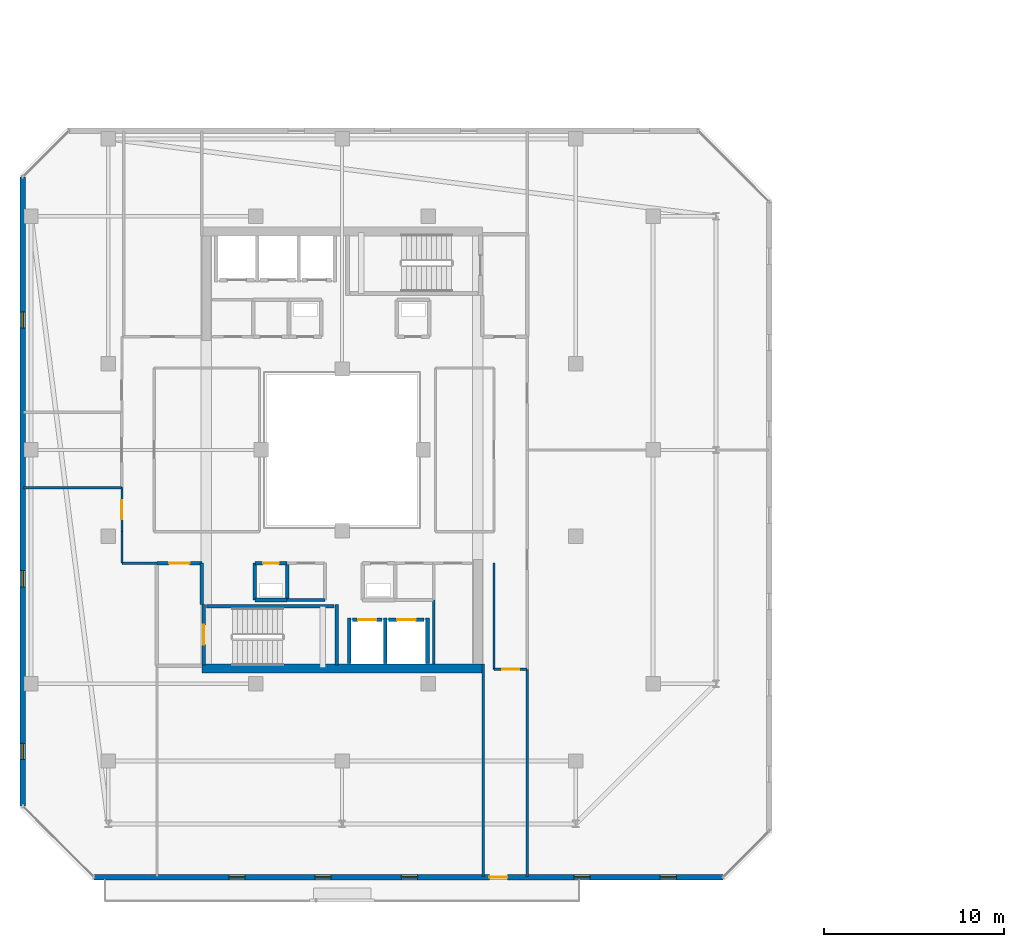
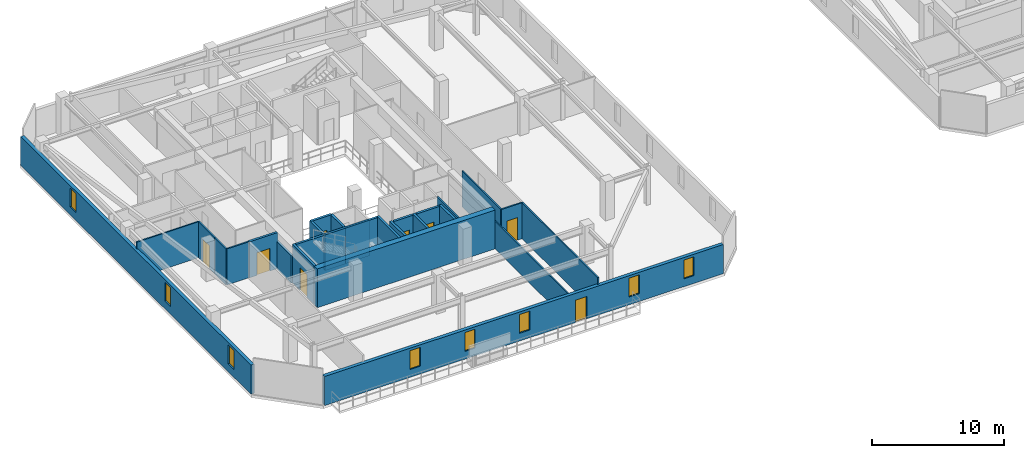
# One storey, part 21 of 34: 27 walls, 8 doors, 8 windows, 16 openings.
"""IFC4 building model written with IfcOpenShell, lengths in metres."""

from ifc_helpers import new_model, si_unit, direction, frame, frame_2d, origin, place, context, subcontext, project, spatial, rectangle, extrude, material, layer, layer_set, type_object, element, fill, save


model = new_model("IFC4")

# Units and contexts
model_context = context("Model", 3, precision=1e-05, world=origin(), true_north=direction((0.0, 1.0)))
body_context = subcontext(model_context, "Body", "Model", "MODEL_VIEW")
ifc_project = project(units=[si_unit("LENGTHUNIT", "METRE"), si_unit("AREAUNIT", "SQUARE_METRE"), si_unit("VOLUMEUNIT", "CUBIC_METRE"), si_unit("PLANEANGLEUNIT", "RADIAN"), si_unit("MASSUNIT", "GRAM", prefix="KILO")], contexts=[model_context])

# Site, building, storey
site_placement = place(None, origin())
site = spatial("IfcSite", under=ifc_project, at=site_placement, CompositionType="ELEMENT")
building_placement = place(site_placement, origin())
building = spatial("IfcBuilding", under=site, at=building_placement, Name="Thornwick Lancets Civic Towers", CompositionType="ELEMENT")
storey_placement = place(building_placement, frame((0.0, 0.0, 258.300048828125)))
storey = spatial("IfcBuildingStorey", under=building, at=storey_placement, Name="L69", CompositionType="ELEMENT", Elevation=258.300048828125)

# Wall, opening, door
ifc_material_1 = material(Name="Concrete blockwork C40/50", Category="masonry")
ifc_layer_1 = layer(ifc_material_1, 0.199951171875, Name="Concrete blockwork C40/50")
ifc_layer_set_1 = layer_set([ifc_layer_1], Name="Concrete blockwork C40/50")
wall_type_1 = type_object("IfcWallType", Name="WALL_COMP_200", PredefinedType="STANDARD", material=ifc_layer_set_1)
wall_1_placement = place(storey_placement, frame((26.080078125, 17.550048828125, 0.0), z_axis=(0.0, 0.0, 1.0), x_axis=(1.0, 0.0, 0.0)))
wall_1 = element("IfcWall", 1, at=wall_1_placement, inside=storey, type_object=wall_type_1, Name="L69 Hoistway Front Wall FL-A1", PredefinedType="STANDARD", context=body_context, shape_type="SweptSolid", body=[
    extrude(rectangle(XDim=1.639892578125, YDim=0.199951171875, at=frame_2d((0.81982421875, 0.0))), origin(), (0.0, 0.0, 1.0), 3.33984375),
])
opening_1_placement = place(wall_1_placement, frame((0.31005859375, 0.0, 0.0)))
opening_1 = element("IfcOpeningElement", 2, at=opening_1_placement, cuts=wall_1, Name="Opening LD-FL-A1", PredefinedType="OPENING", context=body_context, shape_type="SweptSolid", body=[
    extrude(rectangle(XDim=1.02001953125, YDim=2.06005859375, at=frame_2d((0.510009765625, 1.030029296875))), frame((0.0, 0.10986328125, 0.0), z_axis=(0.0, -1.0, 0.0), x_axis=(1.0, 0.0, 0.0)), (0.0, 0.0, 1.0), 0.219970703125),
])
ifc_material_2 = material(Name="Brushed bronze stainless steel", Category="steel")
door_type_1 = type_object("IfcDoorType", Name="DOOR_LIFT_SLIDE", OperationType="SLIDING_TO_LEFT", PredefinedType="DOOR", material=ifc_material_2)
door_1_placement = place(opening_1_placement, origin())
door_1 = element("IfcDoor", 3, at=door_1_placement, inside=storey, type_object=door_type_1, Name="L69 Sliding Lift Landing Door LD-FL-A1", OperationType="SLIDING_TO_LEFT", OverallHeight=2.06005859375, OverallWidth=1.02001953125, PredefinedType="DOOR", context=body_context, shape_type="SweptSolid", body=[
    extrude(rectangle(XDim=1.02001953125, YDim=2.06005859375, at=frame_2d((0.510009765625, 1.030029296875))), frame((0.0, 0.02490234375, 0.0), z_axis=(0.0, -1.0, 0.0), x_axis=(1.0, 0.0, 0.0)), (0.0, 0.0, 1.0), 0.050048828125),
])
fill(opening_1, door_1)

wall_2_placement = place(storey_placement, frame((28.080078125, 17.550048828125, 0.0), z_axis=(0.0, 0.0, 1.0), x_axis=(1.0, 0.0, 0.0)))
wall_2 = element("IfcWall", 4, at=wall_2_placement, inside=storey, type_object=wall_type_1, Name="L69 Hoistway Front Wall PL-AH1", PredefinedType="STANDARD", context=body_context, shape_type="SweptSolid", body=[
    extrude(rectangle(XDim=1.989990234375, YDim=0.199951171875, at=frame_2d((0.9951171875, 0.0))), origin(), (0.0, 0.0, 1.0), 3.33984375),
])
opening_2_placement = place(wall_2_placement, frame((0.485107421875, 0.0, 0.0)))
opening_2 = element("IfcOpeningElement", 5, at=opening_2_placement, cuts=wall_2, Name="Opening LD-PL-AH1", PredefinedType="OPENING", context=body_context, shape_type="SweptSolid", body=[
    extrude(rectangle(XDim=1.02001953125, YDim=2.06005859375, at=frame_2d((0.510009765625, 1.030029296875))), frame((0.0, 0.10986328125, 0.0), z_axis=(0.0, -1.0, 0.0), x_axis=(1.0, 0.0, 0.0)), (0.0, 0.0, 1.0), 0.219970703125),
])
door_2_placement = place(opening_2_placement, origin())
door_2 = element("IfcDoor", 6, at=door_2_placement, inside=storey, type_object=door_type_1, Name="L69 Sliding Lift Landing Door LD-PL-AH1", OperationType="SLIDING_TO_LEFT", OverallHeight=2.06005859375, OverallWidth=1.02001953125, PredefinedType="DOOR", context=body_context, shape_type="SweptSolid", body=[
    extrude(rectangle(XDim=1.02001953125, YDim=2.06005859375, at=frame_2d((0.510009765625, 1.030029296875))), frame((0.0, 0.02490234375, 0.0), z_axis=(0.0, -1.0, 0.0), x_axis=(1.0, 0.0, 0.0)), (0.0, 0.0, 1.0), 0.050048828125),
])
fill(opening_2, door_2)

# Walls
for number, where, z_axis, x_axis, name in (
    (7, (27.89990234375, 15.112060546875, 0.0), (0.0, 0.0, 1.0), (0.0, 1.0, 0.0), "L69 Hoistway Shaft Wall FL-A1 E"),
    (8, (25.89990234375, 15.112060546875, 0.0), (0.0, 0.0, 1.0), (0.0, 1.0, 0.0), "L69 Hoistway Shaft Wall FL-A1 W"),
    (9, (30.25, 15.112060546875, 0.0), (0.0, 0.0, 1.0), (0.0, 1.0, 0.0), "L69 Hoistway Shaft Wall PL-AH1 E"),
):
    element("IfcWall", number, at=place(storey_placement, frame(where, z_axis=z_axis, x_axis=x_axis)), inside=storey, type_object=wall_type_1, Name=name, PredefinedType="STANDARD", context=body_context, shape_type="SweptSolid", body=[
        extrude(rectangle(XDim=2.535888671875, YDim=0.199951171875, at=frame_2d((1.26806640625, 0.0))), origin(), (0.0, 0.0, 1.0), 3.33984375),
    ])
wall_3_placement = place(storey_placement, frame((17.699951171875, 18.39990234375, 0.0), z_axis=(0.0, 0.0, 1.0), x_axis=(0.0, 1.0, 0.0)))
element("IfcWall", 10, at=wall_3_placement, inside=storey, type_object=wall_type_1, Name="L69 Partition L69-A-FFLOB1 E2", PredefinedType="STANDARD", context=body_context, shape_type="SweptSolid", body=[
    extrude(rectangle(XDim=2.300048828125, YDim=0.199951171875, at=frame_2d((1.14990234375, 0.0))), origin(), (0.0, 0.0, 1.0), 2.544921875),
])

# Wall, opening, door
wall_4_placement = place(storey_placement, frame((17.699951171875, 20.699951171875, 0.0), z_axis=(0.0, 0.0, 1.0), x_axis=(-1.0, 0.0, 0.0)))
wall_4 = element("IfcWall", 11, at=wall_4_placement, inside=storey, type_object=wall_type_1, Name="L69 Partition L69-A-FFLOB1 E3", PredefinedType="STANDARD", context=body_context, shape_type="SweptSolid", body=[
    extrude(rectangle(XDim=2.5, YDim=0.199951171875, at=frame_2d((1.25, 0.0))), origin(), (0.0, 0.0, 1.0), 3.33984375),
])
opening_3_placement = place(wall_4_placement, frame((0.675048828125, 0.0, 0.0)))
opening_3 = element("IfcOpeningElement", 12, at=opening_3_placement, cuts=wall_4, Name="Opening D-L69-3135", PredefinedType="OPENING", context=body_context, shape_type="SweptSolid", body=[
    extrude(rectangle(XDim=1.14990234375, YDim=2.10009765625, at=frame_2d((0.574951171875, 1.050048828125))), frame((0.0, 0.10986328125, 0.0), z_axis=(0.0, -1.0, 0.0), x_axis=(1.0, 0.0, 0.0)), (0.0, 0.0, 1.0), 0.219970703125),
])
ifc_material_3 = material(Name="Glazed fire-resisting steel", Category="steel")
door_type_2 = type_object("IfcDoorType", Name="DOOR_LOBBY_FD60", OperationType="NOTDEFINED", PredefinedType="DOOR", material=ifc_material_3)
door_3_placement = place(opening_3_placement, origin())
door_3 = element("IfcDoor", 13, at=door_3_placement, inside=storey, type_object=door_type_2, Name="L69 South Firefighting Lobby 1 Door", OperationType="SINGLE_SWING_RIGHT", OverallHeight=2.10009765625, OverallWidth=1.14990234375, PredefinedType="DOOR", context=body_context, shape_type="SweptSolid", body=[
    extrude(rectangle(XDim=1.14990234375, YDim=2.10009765625, at=frame_2d((0.574951171875, 1.050048828125))), frame((0.0, 0.02490234375, 0.0), z_axis=(0.0, -1.0, 0.0), x_axis=(1.0, 0.0, 0.0)), (0.0, 0.0, 1.0), 0.050048828125),
])
fill(opening_3, door_3)

# Walls
wall_5_placement = place(storey_placement, frame((20.64990234375, 18.64990234375, 0.0), z_axis=(0.0, 0.0, 1.0), x_axis=(1.0, 0.0, 0.0)))
element("IfcWall", 14, at=wall_5_placement, inside=storey, type_object=wall_type_1, Name="L69 Partition L69-A-RISER1 E1", PredefinedType="STANDARD", context=body_context, shape_type="SweptSolid", body=[
    extrude(rectangle(XDim=1.800048828125, YDim=0.199951171875, at=frame_2d((0.89990234375, 0.0))), origin(), (0.0, 0.0, 1.0), 3.33984375),
])
wall_6_placement = place(storey_placement, frame((22.449951171875, 18.64990234375, 0.0), z_axis=(0.0, 0.0, 1.0), x_axis=(0.0, 1.0, 0.0)))
element("IfcWall", 15, at=wall_6_placement, inside=storey, type_object=wall_type_1, Name="L69 Partition L69-A-RISER1 E2", PredefinedType="STANDARD", context=body_context, shape_type="SweptSolid", body=[
    extrude(rectangle(XDim=2.050048828125, YDim=0.199951171875, at=frame_2d((1.02490234375, 0.0))), origin(), (0.0, 0.0, 1.0), 3.33984375),
])

# Wall, opening, door
wall_7_placement = place(storey_placement, frame((22.449951171875, 20.699951171875, 0.0), z_axis=(0.0, 0.0, 1.0), x_axis=(-1.0, 0.0, 0.0)))
wall_7 = element("IfcWall", 16, at=wall_7_placement, inside=storey, type_object=wall_type_1, Name="L69 Partition L69-A-RISER1 E3", PredefinedType="STANDARD", context=body_context, shape_type="SweptSolid", body=[
    extrude(rectangle(XDim=1.800048828125, YDim=0.199951171875, at=frame_2d((0.89990234375, 0.0))), origin(), (0.0, 0.0, 1.0), 3.33984375),
])
opening_4_placement = place(wall_7_placement, frame((0.4599609375, 0.0, 0.0)))
opening_4 = element("IfcOpeningElement", 17, at=opening_4_placement, cuts=wall_7, Name="Opening D-L69-3138", PredefinedType="OPENING", context=body_context, shape_type="SweptSolid", body=[
    extrude(rectangle(XDim=0.8798828125, YDim=2.0400390625, at=frame_2d((0.43994140625, 1.02001953125))), frame((0.0, 0.10986328125, 0.0), z_axis=(0.0, -1.0, 0.0), x_axis=(1.0, 0.0, 0.0)), (0.0, 0.0, 1.0), 0.219970703125),
])
ifc_material_4 = material(Name="Steel riser access doorset", Category="steel")
door_type_3 = type_object("IfcDoorType", Name="DOOR_RISER_850", OperationType="NOTDEFINED", PredefinedType="DOOR", material=ifc_material_4)
door_4_placement = place(opening_4_placement, origin())
door_4 = element("IfcDoor", 18, at=door_4_placement, inside=storey, type_object=door_type_3, Name="L69 South Electrical Riser 1 Door", OperationType="SINGLE_SWING_LEFT", OverallHeight=2.0400390625, OverallWidth=0.8798828125, PredefinedType="DOOR", context=body_context, shape_type="SweptSolid", body=[
    extrude(rectangle(XDim=0.8798828125, YDim=2.0400390625, at=frame_2d((0.43994140625, 1.02001953125))), frame((0.0, 0.02490234375, 0.0), z_axis=(0.0, -1.0, 0.0), x_axis=(1.0, 0.0, 0.0)), (0.0, 0.0, 1.0), 0.050048828125),
])
fill(opening_4, door_4)

# Walls
wall_8_placement = place(storey_placement, frame((20.64990234375, 20.699951171875, 0.0), z_axis=(0.0, 0.0, 1.0), x_axis=(0.0, -1.0, 0.0)))
element("IfcWall", 19, at=wall_8_placement, inside=storey, type_object=wall_type_1, Name="L69 Partition L69-A-RISER1 E4", PredefinedType="STANDARD", context=body_context, shape_type="SweptSolid", body=[
    extrude(rectangle(XDim=2.050048828125, YDim=0.199951171875, at=frame_2d((1.02490234375, 0.0))), origin(), (0.0, 0.0, 1.0), 3.33984375),
])
ifc_material_5 = material(Name="Concrete C50/60", Category="concrete")
ifc_layer_2 = layer(ifc_material_5, 0.5, Name="Concrete C50/60")
ifc_layer_set_2 = layer_set([ifc_layer_2], Name="Concrete C50/60")
wall_type_2 = type_object("IfcWallType", Name="WALL_CORE_500", PredefinedType="SHEAR", material=ifc_layer_set_2)
wall_9_placement = place(storey_placement, frame((17.699951171875, 14.85009765625, 0.0), z_axis=(0.0, 0.0, 1.0), x_axis=(1.0, 0.0, 0.0)))
element("IfcWall", 20, at=wall_9_placement, inside=storey, type_object=wall_type_2, Name="L69 Split Core A1 Shear Wall S", PredefinedType="SHEAR", context=body_context, shape_type="SweptSolid", body=[
    extrude(rectangle(XDim=15.60009765625, YDim=0.5, at=frame_2d((7.800048828125, 0.0))), origin(), (0.0, 0.0, 1.0), 3.599853515625),
])

# Wall, openings, door, windows
ifc_material_6 = material(Name="Insulated russet terracotta rainscreen on concrete C40/50", Category="masonry")
ifc_layer_3 = layer(ifc_material_6, 0.300048828125, Name="Insulated russet terracotta rainscreen on concrete C40/50")
ifc_layer_set_3 = layer_set([ifc_layer_3], Name="Insulated russet terracotta rainscreen on concrete C40/50")
wall_type_3 = type_object("IfcWallType", Name="WALL_EXT_RUSSET_300", PredefinedType="STANDARD", material=ifc_layer_set_3)
wall_10_placement = place(storey_placement, frame((11.6982421875, 3.239990234375, 0.0), z_axis=(0.0, 0.0, 1.0), x_axis=(0.999999991209, -0.000132597301, 0.0)))
wall_10 = element("IfcWall", 21, at=wall_10_placement, inside=storey, type_object=wall_type_3, Name="L69 Tower A Terracotta Facade Wall E0", PredefinedType="STANDARD", context=body_context, shape_type="SweptSolid", body=[
    extrude(rectangle(XDim=34.983154296875, YDim=0.300048828125, at=frame_2d((17.49169921875, 0.0))), origin(), (0.0, 0.0, 1.0), 2.699951171875),
])
opening_5_placement = place(wall_10_placement, frame((21.99169921875, 0.0, 0.0)))
opening_5 = element("IfcOpeningElement", 22, at=opening_5_placement, cuts=wall_10, Name="Opening D-BL-L69-AS", PredefinedType="OPENING", context=body_context, shape_type="SweptSolid", body=[
    extrude(rectangle(XDim=1.0, YDim=2.080078125, at=frame_2d((0.5, 1.0400390625))), frame((0.0, 0.16015625, 0.0), z_axis=(0.0, -1.0, 0.0), x_axis=(1.0, 0.0, 0.0)), (0.0, 0.0, 1.0), 0.320068359375),
])
opening_6_placement = place(wall_10_placement, frame((7.5, 0.0, 0.719970703125)))
opening_6 = element("IfcOpeningElement", 23, at=opening_6_placement, cuts=wall_10, Name="Opening WL-01", PredefinedType="OPENING", context=body_context, shape_type="SweptSolid", body=[
    extrude(rectangle(XDim=0.89990234375, YDim=1.75, at=frame_2d((0.449951171875, 0.875))), frame((0.0, 0.16015625, 0.0), z_axis=(0.0, -1.0, 0.0), x_axis=(1.0, 0.0, 0.0)), (0.0, 0.0, 1.0), 0.320068359375),
])
opening_7_placement = place(wall_10_placement, frame((12.300048828125, 0.0, 0.719970703125)))
opening_7 = element("IfcOpeningElement", 24, at=opening_7_placement, cuts=wall_10, Name="Opening WL-01", PredefinedType="OPENING", context=body_context, shape_type="SweptSolid", body=[
    extrude(rectangle(XDim=0.89990234375, YDim=1.75, at=frame_2d((0.449951171875, 0.875))), frame((0.0, 0.16015625, 0.0), z_axis=(0.0, -1.0, 0.0), x_axis=(1.0, 0.0, 0.0)), (0.0, 0.0, 1.0), 0.320068359375),
])
opening_8_placement = place(wall_10_placement, frame((17.10009765625, 0.0, 0.719970703125)))
opening_8 = element("IfcOpeningElement", 25, at=opening_8_placement, cuts=wall_10, Name="Opening WL-01", PredefinedType="OPENING", context=body_context, shape_type="SweptSolid", body=[
    extrude(rectangle(XDim=0.89990234375, YDim=1.75, at=frame_2d((0.449951171875, 0.875))), frame((0.0, 0.16015625, 0.0), z_axis=(0.0, -1.0, 0.0), x_axis=(1.0, 0.0, 0.0)), (0.0, 0.0, 1.0), 0.320068359375),
])
opening_9_placement = place(wall_10_placement, frame((26.699951171875, 0.0, 0.719970703125)))
opening_9 = element("IfcOpeningElement", 26, at=opening_9_placement, cuts=wall_10, Name="Opening WL-01", PredefinedType="OPENING", context=body_context, shape_type="SweptSolid", body=[
    extrude(rectangle(XDim=0.89990234375, YDim=1.75, at=frame_2d((0.449951171875, 0.875))), frame((0.0, 0.16015625, 0.0), z_axis=(0.0, -1.0, 0.0), x_axis=(1.0, 0.0, 0.0)), (0.0, 0.0, 1.0), 0.320068359375),
])
opening_10_placement = place(wall_10_placement, frame((31.5, 0.0, 0.719970703125)))
opening_10 = element("IfcOpeningElement", 27, at=opening_10_placement, cuts=wall_10, Name="Opening WL-01", PredefinedType="OPENING", context=body_context, shape_type="SweptSolid", body=[
    extrude(rectangle(XDim=0.89990234375, YDim=1.75, at=frame_2d((0.449951171875, 0.875))), frame((0.0, 0.16015625, 0.0), z_axis=(0.0, -1.0, 0.0), x_axis=(1.0, 0.0, 0.0)), (0.0, 0.0, 1.0), 0.320068359375),
])
ifc_material_7 = material(Name="Thermally broken glazed loggia doorset")
door_type_4 = type_object("IfcDoorType", Name="DOOR_BALC_1000", OperationType="NOTDEFINED", PredefinedType="DOOR", material=ifc_material_7)
door_5_placement = place(opening_5_placement, origin())
door_5 = element("IfcDoor", 28, at=door_5_placement, inside=storey, type_object=door_type_4, Name="L69 Tower A Loggia Balcony Door S", OperationType="SINGLE_SWING_RIGHT", OverallHeight=2.080078125, OverallWidth=1.0, PredefinedType="DOOR", context=body_context, shape_type="SweptSolid", body=[
    extrude(rectangle(XDim=1.0, YDim=2.080078125, at=frame_2d((0.5, 1.0400390625))), frame((0.0, 0.02490234375, 0.0), z_axis=(0.0, -1.0, 0.0), x_axis=(1.0, 0.0, 0.0)), (0.0, 0.0, 1.0), 0.050048828125),
])
fill(opening_5, door_5)
ifc_material_8 = material(Name="Clear low-e double glazing in bronze frame", Category="glass")
window_type = type_object("IfcWindowType", Name="WIN_LANCET_900", PartitioningType="SINGLE_PANEL", PredefinedType="WINDOW", material=ifc_material_8)
window_1_placement = place(opening_6_placement, origin())
window_1 = element("IfcWindow", 29, at=window_1_placement, inside=storey, type_object=window_type, Name="L69 Tower A Staggered Lancet Window E0-1", OverallHeight=1.75, OverallWidth=0.89990234375, PartitioningType="SINGLE_PANEL", PredefinedType="WINDOW", context=body_context, shape_type="SweptSolid", body=[
    extrude(rectangle(XDim=0.89990234375, YDim=1.75, at=frame_2d((0.449951171875, 0.875))), frame((0.0, 0.030029296875, 0.0), z_axis=(0.0, -1.0, 0.0), x_axis=(1.0, 0.0, 0.0)), (0.0, 0.0, 1.0), 0.06005859375),
])
fill(opening_6, window_1)
window_2_placement = place(opening_7_placement, origin())
window_2 = element("IfcWindow", 30, at=window_2_placement, inside=storey, type_object=window_type, Name="L69 Tower A Staggered Lancet Window E0-2", OverallHeight=1.75, OverallWidth=0.89990234375, PartitioningType="SINGLE_PANEL", PredefinedType="WINDOW", context=body_context, shape_type="SweptSolid", body=[
    extrude(rectangle(XDim=0.89990234375, YDim=1.75, at=frame_2d((0.449951171875, 0.875))), frame((0.0, 0.030029296875, 0.0), z_axis=(0.0, -1.0, 0.0), x_axis=(1.0, 0.0, 0.0)), (0.0, 0.0, 1.0), 0.06005859375),
])
fill(opening_7, window_2)
window_3_placement = place(opening_8_placement, origin())
window_3 = element("IfcWindow", 31, at=window_3_placement, inside=storey, type_object=window_type, Name="L69 Tower A Staggered Lancet Window E0-3", OverallHeight=1.75, OverallWidth=0.89990234375, PartitioningType="SINGLE_PANEL", PredefinedType="WINDOW", context=body_context, shape_type="SweptSolid", body=[
    extrude(rectangle(XDim=0.89990234375, YDim=1.75, at=frame_2d((0.449951171875, 0.875))), frame((0.0, 0.030029296875, 0.0), z_axis=(0.0, -1.0, 0.0), x_axis=(1.0, 0.0, 0.0)), (0.0, 0.0, 1.0), 0.06005859375),
])
fill(opening_8, window_3)
window_4_placement = place(opening_9_placement, origin())
window_4 = element("IfcWindow", 32, at=window_4_placement, inside=storey, type_object=window_type, Name="L69 Tower A Staggered Lancet Window E0-4", OverallHeight=1.75, OverallWidth=0.89990234375, PartitioningType="SINGLE_PANEL", PredefinedType="WINDOW", context=body_context, shape_type="SweptSolid", body=[
    extrude(rectangle(XDim=0.89990234375, YDim=1.75, at=frame_2d((0.449951171875, 0.875))), frame((0.0, 0.030029296875, 0.0), z_axis=(0.0, -1.0, 0.0), x_axis=(1.0, 0.0, 0.0)), (0.0, 0.0, 1.0), 0.06005859375),
])
fill(opening_9, window_4)
window_5_placement = place(opening_10_placement, origin())
window_5 = element("IfcWindow", 33, at=window_5_placement, inside=storey, type_object=window_type, Name="L69 Tower A Staggered Lancet Window E0-5", OverallHeight=1.75, OverallWidth=0.89990234375, PartitioningType="SINGLE_PANEL", PredefinedType="WINDOW", context=body_context, shape_type="SweptSolid", body=[
    extrude(rectangle(XDim=0.89990234375, YDim=1.75, at=frame_2d((0.449951171875, 0.875))), frame((0.0, 0.030029296875, 0.0), z_axis=(0.0, -1.0, 0.0), x_axis=(1.0, 0.0, 0.0)), (0.0, 0.0, 1.0), 0.06005859375),
])
fill(opening_10, window_5)

# Wall, openings, windows
wall_11_placement = place(storey_placement, frame((7.7353515625, 42.181396484375, 0.0), z_axis=(0.0, 0.0, 1.0), x_axis=(0.000132597301, -0.999999991209, 0.0)))
wall_11 = element("IfcWall", 34, at=wall_11_placement, inside=storey, type_object=wall_type_3, Name="L69 Tower A Terracotta Facade Wall E6", PredefinedType="STANDARD", context=body_context, shape_type="SweptSolid", body=[
    extrude(rectangle(XDim=34.983154296875, YDim=0.300048828125, at=frame_2d((17.49169921875, 0.0))), origin(), (0.0, 0.0, 1.0), 2.699951171875),
])
opening_11_placement = place(wall_11_placement, frame((7.5, 0.0, 0.719970703125)))
opening_11 = element("IfcOpeningElement", 35, at=opening_11_placement, cuts=wall_11, Name="Opening WL-01", PredefinedType="OPENING", context=body_context, shape_type="SweptSolid", body=[
    extrude(rectangle(XDim=0.89990234375, YDim=1.75, at=frame_2d((0.449951171875, 0.875))), frame((0.0, 0.16015625, 0.0), z_axis=(0.0, -1.0, 0.0), x_axis=(1.0, 0.0, 0.0)), (0.0, 0.0, 1.0), 0.320068359375),
])
opening_12_placement = place(wall_11_placement, frame((21.89990234375, 0.0, 0.719970703125)))
opening_12 = element("IfcOpeningElement", 36, at=opening_12_placement, cuts=wall_11, Name="Opening WL-01", PredefinedType="OPENING", context=body_context, shape_type="SweptSolid", body=[
    extrude(rectangle(XDim=0.89990234375, YDim=1.75, at=frame_2d((0.449951171875, 0.875))), frame((0.0, 0.16015625, 0.0), z_axis=(0.0, -1.0, 0.0), x_axis=(1.0, 0.0, 0.0)), (0.0, 0.0, 1.0), 0.320068359375),
])
opening_13_placement = place(wall_11_placement, frame((31.5, 0.0, 0.719970703125)))
opening_13 = element("IfcOpeningElement", 37, at=opening_13_placement, cuts=wall_11, Name="Opening WL-01", PredefinedType="OPENING", context=body_context, shape_type="SweptSolid", body=[
    extrude(rectangle(XDim=0.89990234375, YDim=1.75, at=frame_2d((0.449951171875, 0.875))), frame((0.0, 0.16015625, 0.0), z_axis=(0.0, -1.0, 0.0), x_axis=(1.0, 0.0, 0.0)), (0.0, 0.0, 1.0), 0.320068359375),
])
window_6_placement = place(opening_11_placement, origin())
window_6 = element("IfcWindow", 38, at=window_6_placement, inside=storey, type_object=window_type, Name="L69 Tower A Staggered Lancet Window E6-1", OverallHeight=1.75, OverallWidth=0.89990234375, PartitioningType="SINGLE_PANEL", PredefinedType="WINDOW", context=body_context, shape_type="SweptSolid", body=[
    extrude(rectangle(XDim=0.89990234375, YDim=1.75, at=frame_2d((0.449951171875, 0.875))), frame((0.0, 0.030029296875, 0.0), z_axis=(0.0, -1.0, 0.0), x_axis=(1.0, 0.0, 0.0)), (0.0, 0.0, 1.0), 0.06005859375),
])
fill(opening_11, window_6)
window_7_placement = place(opening_12_placement, origin())
window_7 = element("IfcWindow", 39, at=window_7_placement, inside=storey, type_object=window_type, Name="L69 Tower A Staggered Lancet Window E6-2", OverallHeight=1.75, OverallWidth=0.89990234375, PartitioningType="SINGLE_PANEL", PredefinedType="WINDOW", context=body_context, shape_type="SweptSolid", body=[
    extrude(rectangle(XDim=0.89990234375, YDim=1.75, at=frame_2d((0.449951171875, 0.875))), frame((0.0, 0.030029296875, 0.0), z_axis=(0.0, -1.0, 0.0), x_axis=(1.0, 0.0, 0.0)), (0.0, 0.0, 1.0), 0.06005859375),
])
fill(opening_12, window_7)
window_8_placement = place(opening_13_placement, origin())
window_8 = element("IfcWindow", 40, at=window_8_placement, inside=storey, type_object=window_type, Name="L69 Tower A Staggered Lancet Window E6-3", OverallHeight=1.75, OverallWidth=0.89990234375, PartitioningType="SINGLE_PANEL", PredefinedType="WINDOW", context=body_context, shape_type="SweptSolid", body=[
    extrude(rectangle(XDim=0.89990234375, YDim=1.75, at=frame_2d((0.449951171875, 0.875))), frame((0.0, 0.030029296875, 0.0), z_axis=(0.0, -1.0, 0.0), x_axis=(1.0, 0.0, 0.0)), (0.0, 0.0, 1.0), 0.06005859375),
])
fill(opening_13, window_8)

# Walls
ifc_material_9 = material(Name="Acoustic gypsum board partition")
ifc_layer_4 = layer(ifc_material_9, 0.1201171875, Name="Acoustic gypsum board partition")
ifc_layer_set_4 = layer_set([ifc_layer_4], Name="Acoustic gypsum board partition")
wall_type_4 = type_object("IfcWallType", Name="WALL_PART_120", PredefinedType="PARTITIONING", material=ifc_layer_set_4)
wall_12_placement = place(storey_placement, frame((30.60009765625, 15.10009765625, 0.0), z_axis=(0.0, 0.0, 1.0), x_axis=(0.0, 1.0, 0.0)))
element("IfcWall", 41, at=wall_12_placement, inside=storey, type_object=wall_type_4, Name="L69 Partition L69-A-ITR E3", PredefinedType="PARTITIONING", context=body_context, shape_type="SweptSolid", body=[
    extrude(rectangle(XDim=3.5498046875, YDim=0.1201171875, at=frame_2d((1.77490234375, 0.0))), origin(), (0.0, 0.0, 1.0), 3.33984375),
])
wall_13_placement = place(storey_placement, frame((33.949951171875, 20.699951171875, 0.0), z_axis=(0.0, 0.0, 1.0), x_axis=(0.0, -1.0, 0.0)))
element("IfcWall", 42, at=wall_13_placement, inside=storey, type_object=wall_type_4, Name="L69 Partition L69-A-RECLAIM-L E1", PredefinedType="PARTITIONING", context=body_context, shape_type="SweptSolid", body=[
    extrude(rectangle(XDim=5.89990234375, YDim=0.1201171875, at=frame_2d((2.949951171875, 0.0))), origin(), (0.0, 0.0, 1.0), 3.33984375),
])

# Wall, opening, door
wall_14_placement = place(storey_placement, frame((33.949951171875, 14.800048828125, 0.0), z_axis=(0.0, 0.0, 1.0), x_axis=(1.0, 0.0, 0.0)))
wall_14 = element("IfcWall", 43, at=wall_14_placement, inside=storey, type_object=wall_type_4, Name="L69 Partition L69-A-RECLAIM-L E2", PredefinedType="PARTITIONING", context=body_context, shape_type="SweptSolid", body=[
    extrude(rectangle(XDim=1.85009765625, YDim=0.1201171875, at=frame_2d((0.925048828125, 0.0))), origin(), (0.0, 0.0, 1.0), 3.33984375),
])
opening_14_placement = place(wall_14_placement, frame((0.449951171875, 0.0, 0.0)))
opening_14 = element("IfcOpeningElement", 44, at=opening_14_placement, cuts=wall_14, Name="Opening D-L69-3157", PredefinedType="OPENING", context=body_context, shape_type="SweptSolid", body=[
    extrude(rectangle(XDim=0.949951171875, YDim=2.10009765625, at=frame_2d((0.47509765625, 1.050048828125))), frame((0.0, 0.070068359375, 0.0), z_axis=(0.0, -1.0, 0.0), x_axis=(1.0, 0.0, 0.0)), (0.0, 0.0, 1.0), 0.14013671875),
])
ifc_material_10 = material(Name="European oak acoustic doorset")
door_type_5 = type_object("IfcDoorType", Name="DOOR_OFFICE_950", OperationType="NOTDEFINED", PredefinedType="DOOR", material=ifc_material_10)
door_6_placement = place(opening_14_placement, origin())
door_6 = element("IfcDoor", 45, at=door_6_placement, inside=storey, type_object=door_type_5, Name="L69 Tower A Parliamentary Drafting Library Door", OperationType="SINGLE_SWING_RIGHT", OverallHeight=2.10009765625, OverallWidth=0.949951171875, PredefinedType="DOOR", context=body_context, shape_type="SweptSolid", body=[
    extrude(rectangle(XDim=0.949951171875, YDim=2.10009765625, at=frame_2d((0.47509765625, 1.050048828125))), frame((0.0, 0.02490234375, 0.0), z_axis=(0.0, -1.0, 0.0), x_axis=(1.0, 0.0, 0.0)), (0.0, 0.0, 1.0), 0.050048828125),
])
fill(opening_14, door_6)

# Walls
wall_15_placement = place(storey_placement, frame((35.800048828125, 14.800048828125, 0.0), z_axis=(0.0, 0.0, 1.0), x_axis=(0.0, -1.0, 0.0)))
element("IfcWall", 46, at=wall_15_placement, inside=storey, type_object=wall_type_4, Name="L69 Partition L69-A-RECLAIM-L E3", PredefinedType="PARTITIONING", context=body_context, shape_type="SweptSolid", body=[
    extrude(rectangle(XDim=11.52001953125, YDim=0.1201171875, at=frame_2d((5.760009765625, 0.0))), origin(), (0.0, 0.0, 1.0), 3.33984375),
])
wall_16_placement = place(storey_placement, frame((33.35009765625, 3.280029296875, 0.0), z_axis=(0.0, 0.0, 1.0), x_axis=(0.0, 1.0, 0.0)))
element("IfcWall", 47, at=wall_16_placement, inside=storey, type_object=wall_type_4, Name="L69 Partition L69-A-RECLAIM-L E5", PredefinedType="PARTITIONING", context=body_context, shape_type="SweptSolid", body=[
    extrude(rectangle(XDim=11.820068359375, YDim=0.1201171875, at=frame_2d((5.91015625, 0.0))), origin(), (0.0, 0.0, 1.0), 2.544921875),
])

# Wall, opening, door
wall_17_placement = place(storey_placement, frame((13.25, 24.89990234375, 0.0), z_axis=(0.0, 0.0, 1.0), x_axis=(0.0, -1.0, 0.0)))
wall_17 = element("IfcWall", 48, at=wall_17_placement, inside=storey, type_object=wall_type_4, Name="L69 Partition L69-A-W1 E1", PredefinedType="PARTITIONING", context=body_context, shape_type="SweptSolid", body=[
    extrude(rectangle(XDim=2.449951171875, YDim=0.1201171875, at=frame_2d((1.22509765625, 0.0))), origin(), (0.0, 0.0, 1.0), 3.33984375),
])
opening_15_placement = place(wall_17_placement, frame((0.699951171875, 0.0, 0.0)))
opening_15 = element("IfcOpeningElement", 49, at=opening_15_placement, cuts=wall_17, Name="Opening D-L69-3159", PredefinedType="OPENING", context=body_context, shape_type="SweptSolid", body=[
    extrude(rectangle(XDim=1.050048828125, YDim=2.10009765625, at=frame_2d((0.52490234375, 1.050048828125))), frame((0.0, 0.070068359375, 0.0), z_axis=(0.0, -1.0, 0.0), x_axis=(1.0, 0.0, 0.0)), (0.0, 0.0, 1.0), 0.14013671875),
])
ifc_material_11 = material(Name="Glazed European oak executive doorset")
door_type_6 = type_object("IfcDoorType", Name="DOOR_OFFICE_1050", OperationType="NOTDEFINED", PredefinedType="DOOR", material=ifc_material_11)
door_7_placement = place(opening_15_placement, origin())
door_7 = element("IfcDoor", 50, at=door_7_placement, inside=storey, type_object=door_type_6, Name="L69 Tower A Ministry Directorate Office W1 Door", OperationType="SINGLE_SWING_RIGHT", OverallHeight=2.10009765625, OverallWidth=1.050048828125, PredefinedType="DOOR", context=body_context, shape_type="SweptSolid", body=[
    extrude(rectangle(XDim=1.050048828125, YDim=2.10009765625, at=frame_2d((0.52490234375, 1.050048828125))), frame((0.0, 0.02490234375, 0.0), z_axis=(0.0, -1.0, 0.0), x_axis=(1.0, 0.0, 0.0)), (0.0, 0.0, 1.0), 0.050048828125),
])
fill(opening_15, door_7)

# Walls
wall_18_placement = place(storey_placement, frame((13.25, 22.449951171875, 0.0), z_axis=(0.0, 0.0, 1.0), x_axis=(0.0, -1.0, 0.0)))
element("IfcWall", 51, at=wall_18_placement, inside=storey, type_object=wall_type_4, Name="L69 Partition L69-A-W1 E2", PredefinedType="PARTITIONING", context=body_context, shape_type="SweptSolid", body=[
    extrude(rectangle(XDim=1.75, YDim=0.1201171875, at=frame_2d((0.875, 0.0))), origin(), (0.0, 0.0, 1.0), 3.33984375),
])
wall_19_placement = place(storey_placement, frame((13.25, 20.699951171875, 0.0), z_axis=(0.0, 0.0, 1.0), x_axis=(1.0, 0.0, 0.0)))
element("IfcWall", 52, at=wall_19_placement, inside=storey, type_object=wall_type_4, Name="L69 Partition L69-A-W1 E3", PredefinedType="PARTITIONING", context=body_context, shape_type="SweptSolid", body=[
    extrude(rectangle(XDim=1.949951171875, YDim=0.1201171875, at=frame_2d((0.97509765625, 0.0))), origin(), (0.0, 0.0, 1.0), 3.33984375),
])
wall_20_placement = place(storey_placement, frame((7.780029296875, 24.89990234375, 0.0), z_axis=(0.0, 0.0, 1.0), x_axis=(1.0, 0.0, 0.0)))
element("IfcWall", 53, at=wall_20_placement, inside=storey, type_object=wall_type_4, Name="L69 Partition L69-A-W1 E9", PredefinedType="PARTITIONING", context=body_context, shape_type="SweptSolid", body=[
    extrude(rectangle(XDim=5.469970703125, YDim=0.1201171875, at=frame_2d((2.73486328125, 0.0))), origin(), (0.0, 0.0, 1.0), 3.33984375),
])
ifc_material_12 = material(Name="Twin-stud acoustic gypsum board")
ifc_layer_5 = layer(ifc_material_12, 0.14990234375, Name="Twin-stud acoustic gypsum board")
ifc_layer_set_5 = layer_set([ifc_layer_5], Name="Twin-stud acoustic gypsum board")
wall_type_5 = type_object("IfcWallType", Name="WALL_PART_150", PredefinedType="PARTITIONING", material=ifc_layer_set_5)
wall_21_placement = place(storey_placement, frame((24.550048828125, 18.64990234375, 0.0), z_axis=(0.0, 0.0, 1.0), x_axis=(-1.0, 0.0, 0.0)))
element("IfcWall", 54, at=wall_21_placement, inside=storey, type_object=wall_type_5, Name="L69 Partition L69-A-MWC E2", PredefinedType="PARTITIONING", context=body_context, shape_type="SweptSolid", body=[
    extrude(rectangle(XDim=2.10009765625, YDim=0.14990234375, at=frame_2d((1.050048828125, 0.0))), origin(), (0.0, 0.0, 1.0), 3.33984375),
])

# Wall, opening, door
ifc_material_13 = material(Name="Concrete C40/50", Category="concrete")
ifc_layer_6 = layer(ifc_material_13, 0.199951171875, Name="Concrete C40/50")
ifc_layer_set_6 = layer_set([ifc_layer_6], Name="Concrete C40/50")
wall_type_6 = type_object("IfcWallType", Name="WALL_SHAFT_200", PredefinedType="SHEAR", material=ifc_layer_set_6)
wall_22_placement = place(storey_placement, frame((17.800048828125, 15.050048828125, 0.0), z_axis=(0.0, 0.0, 1.0), x_axis=(0.0, 1.0, 0.0)))
wall_22 = element("IfcWall", 55, at=wall_22_placement, inside=storey, type_object=wall_type_6, Name="L69 ST-A1 Fire Stair Core Wall NEAR", PredefinedType="SHEAR", context=body_context, shape_type="SweptSolid", body=[
    extrude(rectangle(XDim=3.349853515625, YDim=0.199951171875, at=frame_2d((1.6748046875, 0.0))), origin(), (0.0, 0.0, 1.0), 3.599853515625),
])
opening_16_placement = place(wall_22_placement, frame((1.125, 0.0, 0.0)))
opening_16 = element("IfcOpeningElement", 56, at=opening_16_placement, cuts=wall_22, Name="Opening D-ST-A1-L69", PredefinedType="OPENING", context=body_context, shape_type="SweptSolid", body=[
    extrude(rectangle(XDim=1.10009765625, YDim=2.10009765625, at=frame_2d((0.550048828125, 1.050048828125))), frame((0.0, 0.10986328125, 0.0), z_axis=(0.0, -1.0, 0.0), x_axis=(1.0, 0.0, 0.0)), (0.0, 0.0, 1.0), 0.219970703125),
])
ifc_material_14 = material(Name="Fire-resisting steel and hardwood", Category="steel")
door_type_7 = type_object("IfcDoorType", Name="DOOR_STAIR_FD60", OperationType="NOTDEFINED", PredefinedType="DOOR", material=ifc_material_14)
door_8_placement = place(opening_16_placement, origin())
door_8 = element("IfcDoor", 57, at=door_8_placement, inside=storey, type_object=door_type_7, Name="L69 ST-A1 Exit Stair Door", OperationType="SINGLE_SWING_RIGHT", OverallHeight=2.10009765625, OverallWidth=1.10009765625, PredefinedType="DOOR", context=body_context, shape_type="SweptSolid", body=[
    extrude(rectangle(XDim=1.10009765625, YDim=2.10009765625, at=frame_2d((0.550048828125, 1.050048828125))), frame((0.0, 0.02490234375, 0.0), z_axis=(0.0, -1.0, 0.0), x_axis=(1.0, 0.0, 0.0)), (0.0, 0.0, 1.0), 0.050048828125),
])
fill(opening_16, door_8)

# Walls
wall_23_placement = place(storey_placement, frame((25.199951171875, 18.39990234375, 0.0), z_axis=(0.0, 0.0, 1.0), x_axis=(0.0, -1.0, 0.0)))
element("IfcWall", 58, at=wall_23_placement, inside=storey, type_object=wall_type_6, Name="L69 ST-A1 Fire Stair Core Wall FAR", PredefinedType="SHEAR", context=body_context, shape_type="SweptSolid", body=[
    extrude(rectangle(XDim=3.349853515625, YDim=0.199951171875, at=frame_2d((1.6748046875, 0.0))), origin(), (0.0, 0.0, 1.0), 3.599853515625),
])
wall_24_placement = place(storey_placement, frame((25.050048828125, 18.297119140625, 0.0), z_axis=(0.0, 0.0, 1.0), x_axis=(-1.0, 0.0, 0.0)))
element("IfcWall", 59, at=wall_24_placement, inside=storey, type_object=wall_type_6, Name="L69 ST-A1 Fire Stair Core Wall RIGHT", PredefinedType="SHEAR", context=body_context, shape_type="SweptSolid", body=[
    extrude(rectangle(XDim=7.10009765625, YDim=0.199951171875, at=frame_2d((3.550048828125, 0.0))), origin(), (0.0, 0.0, 1.0), 3.599853515625),
])

save(model, "model.ifc")
